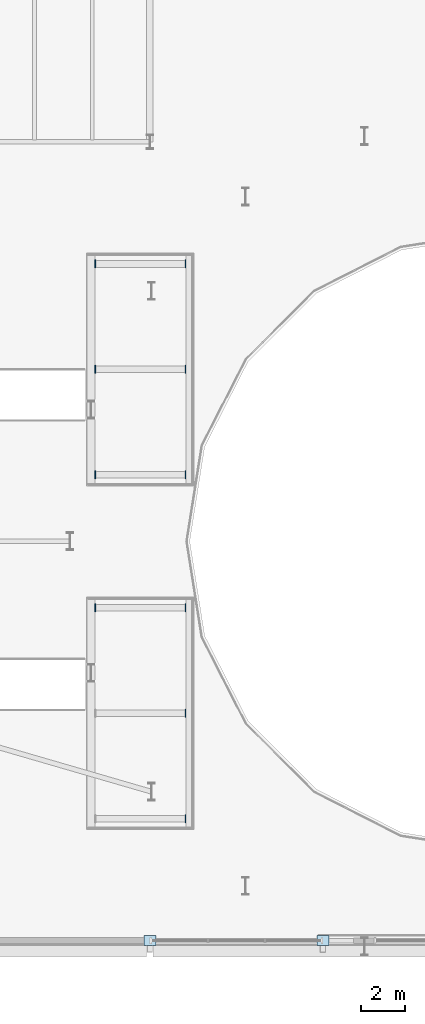
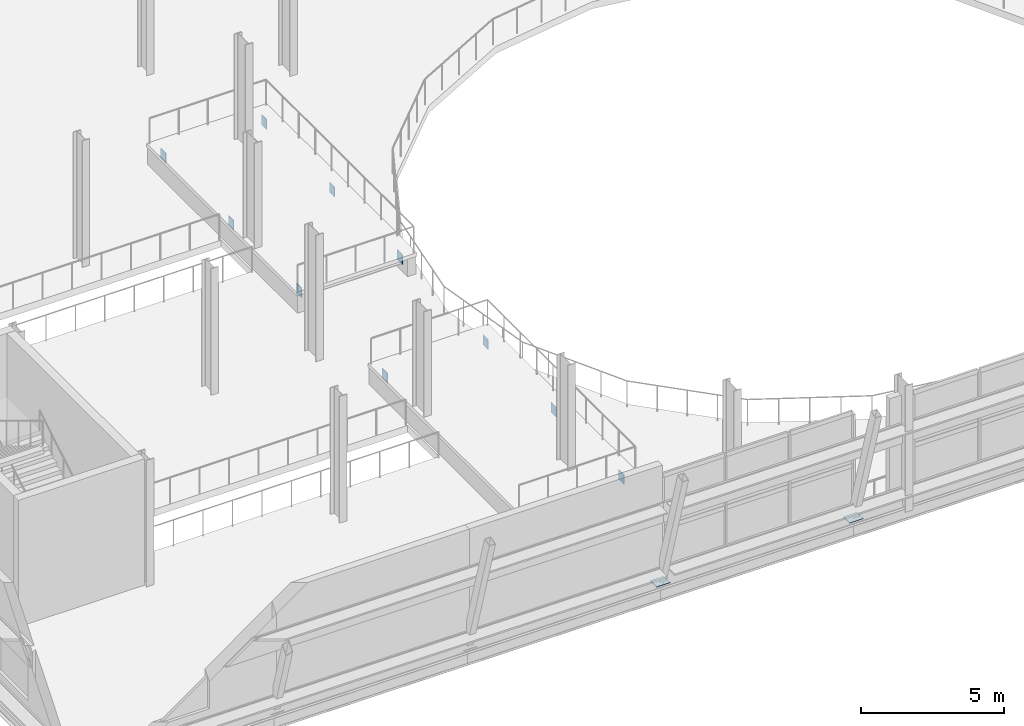
# One storey, part 45 of 78: 12 plates.
"""IFC4 building model written with IfcOpenShell, lengths in metres."""

import ifcopenshell
import ifcopenshell.guid

model = None  # the IFC model being written
_history = None  # IfcOwnerHistory: only IFC2X3 demands one
_inside = {}  # id of a spatial element -> (the spatial element, [elements in it])
_under = {}  # id of a project, library or spatial element -> (it, [spatial elements below it])
_declared = {}  # id of a project -> (the project, [libraries it declares])
_typed = {}  # id of a type object -> (the type object, [elements of that type])
_made_of = {}  # id of a material, layer set ... -> (it, [elements and type objects made of it])


def new_model(schema):
    """Start an empty IFC model of exactly this schema.

    Asked for "IFC4X3", IfcOpenShell would pick the latest addendum, in which some entities
    have other attributes; the version numbers below select the first issue.
    IFC2X3 requires an IfcOwnerHistory on every rooted entity: one is made here for all.
    """
    global model, _history
    if schema == "IFC4X3":
        model = ifcopenshell.file(schema_version=(4, 3, 0, 0))
    else:
        model = ifcopenshell.file(schema=schema)
    _inside.clear()
    _under.clear()
    _declared.clear()
    _typed.clear()
    _made_of.clear()
    _history = None
    if model.schema == "IFC2X3":
        org = make("IfcOrganization", Name="unknown")
        user = make(
            "IfcPersonAndOrganization",
            ThePerson=make("IfcPerson", FamilyName="unknown"),
            TheOrganization=org,
        )
        app = make(
            "IfcApplication",
            ApplicationDeveloper=org,
            Version="unknown",
            ApplicationFullName="unknown",
            ApplicationIdentifier="unknown",
        )
        _history = make(
            "IfcOwnerHistory",
            OwningUser=user,
            OwningApplication=app,
            ChangeAction="ADDED",
            CreationDate=0,
        )
    return model


def make(cls, **values):
    """One entity of the class cls with the attributes given. An attribute that is None is left unset."""
    return model.create_entity(
        cls, **{name: value for name, value in values.items() if value is not None}
    )


def rooted(cls, **values):
    """An entity with a GlobalId (a new one), such as an element, a storey or a relation."""
    return make(cls, GlobalId=ifcopenshell.guid.new(), OwnerHistory=_history, **values)


def si_unit(unit_type, name, prefix=None):
    """IfcSIUnit, for example si_unit("LENGTHUNIT", "METRE", prefix="MILLI")."""
    return make("IfcSIUnit", UnitType=unit_type, Prefix=prefix, Name=name)


def assignment(units):
    """IfcUnitAssignment: the units of a project."""
    return None if units is None else make("IfcUnitAssignment", Units=units)


def point(xyz):
    """IfcCartesianPoint."""
    return None if xyz is None else make("IfcCartesianPoint", Coordinates=xyz)


def direction(xyz):
    """IfcDirection."""
    return None if xyz is None else make("IfcDirection", DirectionRatios=xyz)


def frame(location, z_axis=None, x_axis=None):
    """IfcAxis2Placement3D, a coordinate frame: its origin and axes. An axis left out is left unset."""
    return make(
        "IfcAxis2Placement3D",
        Location=point(location),
        Axis=direction(z_axis),
        RefDirection=direction(x_axis),
    )


def frame_2d(location, x_axis=None):
    """IfcAxis2Placement2D, a coordinate frame in the plane: its origin and x axis."""
    return make(
        "IfcAxis2Placement2D", Location=point(location), RefDirection=direction(x_axis)
    )


def origin():
    """The frame at (0, 0, 0) with its axes left unset."""
    return frame((0.0, 0.0, 0.0))


def origin_2d():
    """The frame at (0, 0) in the plane with its x axis left unset."""
    return frame_2d((0.0, 0.0))


def place(relative_to, where):
    """IfcLocalPlacement: puts the frame where relative to a parent placement (None: the world)."""
    return make(
        "IfcLocalPlacement", PlacementRelTo=relative_to, RelativePlacement=where
    )


def context(
    kind, dimensions, precision=None, world=None, true_north=None, identifier=None
):
    """IfcGeometricRepresentationContext, for example the 3D "Model" context."""
    return make(
        "IfcGeometricRepresentationContext",
        ContextIdentifier=identifier,
        ContextType=kind,
        CoordinateSpaceDimension=dimensions,
        Precision=precision,
        WorldCoordinateSystem=world,
        TrueNorth=true_north,
    )


def subcontext(parent, identifier, kind, view, scale=None):
    """IfcGeometricRepresentationSubContext, for example "Body" below "Model"."""
    return make(
        "IfcGeometricRepresentationSubContext",
        ContextIdentifier=identifier,
        ContextType=kind,
        ParentContext=parent,
        TargetScale=scale,
        TargetView=view,
    )


def project(units=None, contexts=None):
    """IfcProject with its units and contexts."""
    return rooted(
        "IfcProject",
        Name="project",
        RepresentationContexts=contexts,
        UnitsInContext=assignment(units),
    )


def spatial(cls, under=None, at=None, **own):
    """A site, building, storey or space (cls), placed at a placement, below another one or the project."""
    s = rooted(cls, ObjectPlacement=at, **own)
    if under is not None:
        _under.setdefault(under.id(), (under, []))[1].append(s)
    return s


def profile(cls, at=None, kind="AREA", **sizes):
    """A parametric profile (cls). Its sizes go by their IFC names, for example OverallWidth=200.0."""
    return make(cls, ProfileType=kind, Position=at, **sizes)


def rectangle(**sizes):
    """IfcRectangleProfileDef."""
    return profile("IfcRectangleProfileDef", **sizes)


def extrude(swept, where, along, depth):
    """IfcExtrudedAreaSolid: the profile swept, set in the frame where, extruded along a direction by depth."""
    return make(
        "IfcExtrudedAreaSolid",
        SweptArea=swept,
        Position=where,
        ExtrudedDirection=direction(along),
        Depth=depth,
    )


def shape(context_of_items, identifier, shape_type, items):
    """IfcShapeRepresentation: the items that make up one representation, for example the "Body"."""
    return make(
        "IfcShapeRepresentation",
        ContextOfItems=context_of_items,
        RepresentationIdentifier=identifier,
        RepresentationType=shape_type,
        Items=items,
    )


def material(Name=None, Category=None):
    """IfcMaterial."""
    return make("IfcMaterial", Name=Name, Category=Category)


def layer(
    of_material, thickness, ventilated=None, Name=None, Category=None, Priority=None
):
    """IfcMaterialLayer: one layer of a wall or slab, of a material (None: an air gap)."""
    return make(
        "IfcMaterialLayer",
        Material=of_material,
        LayerThickness=thickness,
        IsVentilated=ventilated,
        Name=Name,
        Category=Category,
        Priority=Priority,
    )


def layer_set(layers, Name=None):
    """IfcMaterialLayerSet."""
    return make("IfcMaterialLayerSet", MaterialLayers=layers, LayerSetName=Name)


def made_of(thing, what):
    """Note that an element or type object is made of a material, layer set ...; save() writes the relation."""
    if what is not None:
        _made_of.setdefault(what.id(), (what, []))[1].append(thing)
    return thing


def type_object(cls, material=None, **own):
    """A type object (cls), such as IfcWallType, which elements share."""
    return made_of(rooted(cls, **own), material)


def element(
    cls,
    number,
    at=None,
    inside=None,
    cuts=None,
    type_object=None,
    material=None,
    context=None,
    identifier="Body",
    shape_type=None,
    held_by="IfcProductDefinitionShape",
    body=None,
    shapes=None,
    **own,
):
    """One element of the class cls, such as IfcWall. Its Tag is "e" and its number.

    at: its placement. inside: the storey or other place that contains it. cuts: it is an
    opening in that element (IfcRelVoidsElement). A single representation is given by context,
    identifier, shape_type and body (its items); several are given by shapes. held_by: the class
    of the entity that holds the representations. save() writes the other relations.
    """
    e = rooted(cls, Tag="e%d" % number, ObjectPlacement=at, **own)
    if body is not None:
        shapes = [shape(context, identifier, shape_type, body)]
    if shapes is not None:
        e.Representation = make(held_by, Representations=shapes)
    if inside is not None:
        _inside.setdefault(inside.id(), (inside, []))[1].append(e)
    if cuts is not None:
        rooted(
            "IfcRelVoidsElement", RelatingBuildingElement=cuts, RelatedOpeningElement=e
        )
    if type_object is not None:
        _typed.setdefault(type_object.id(), (type_object, []))[1].append(e)
    return made_of(e, material)


def aggregate(whole, parts):
    """IfcRelAggregates: a whole, such as a stair, and the parts it consists of."""
    return rooted("IfcRelAggregates", RelatingObject=whole, RelatedObjects=parts)


def save(model, path):
    """Write the relations noted so far, then the file.

    IfcRelAggregates (storeys below a building ...), IfcRelContainedInSpatialStructure (elements
    in a storey), IfcRelDefinesByType, IfcRelAssociatesMaterial and IfcRelDeclares: one each for
    every whole, place, type object, material and project.
    """
    for whole, parts in _under.values():
        aggregate(whole, parts)
    for where, things in _inside.values():
        rooted(
            "IfcRelContainedInSpatialStructure",
            RelatedElements=things,
            RelatingStructure=where,
        )
    for kind, things in _typed.values():
        rooted("IfcRelDefinesByType", RelatedObjects=things, RelatingType=kind)
    for what, things in _made_of.values():
        rooted("IfcRelAssociatesMaterial", RelatedObjects=things, RelatingMaterial=what)
    for by, libraries in _declared.values():
        rooted("IfcRelDeclares", RelatingContext=by, RelatedDefinitions=libraries)
    model.write(path)


model = new_model("IFC4")

# Units and contexts
model_context = context("Model", 3, precision=1e-05, world=origin(), true_north=direction((0.0, 1.0)))
body_context = subcontext(model_context, "Body", "Model", "MODEL_VIEW")
ifc_project = project(units=[si_unit("LENGTHUNIT", "METRE"), si_unit("AREAUNIT", "SQUARE_METRE"), si_unit("VOLUMEUNIT", "CUBIC_METRE"), si_unit("PLANEANGLEUNIT", "RADIAN"), si_unit("MASSUNIT", "GRAM", prefix="KILO")], contexts=[model_context])

# Site, building, storey
site_placement = place(None, origin())
site = spatial("IfcSite", under=ifc_project, at=site_placement, CompositionType="ELEMENT")
building_placement = place(site_placement, origin())
building = spatial("IfcBuilding", under=site, at=building_placement, Name="Sefraquen Railside Congress Hotel", CompositionType="ELEMENT")
storey_placement = place(building_placement, frame((0.0, 0.0, 6.0)))
storey = spatial("IfcBuildingStorey", under=building, at=storey_placement, Name="L01", CompositionType="ELEMENT", Elevation=6.0)

# Plates
ifc_material = material(Name="Steel S355J2", Category="steel")
ifc_layer_1 = layer(ifc_material, 0.050048828125)
ifc_layer_set_1 = layer_set([ifc_layer_1], Name="Steel S355J2")
plate_type_1 = type_object("IfcPlateType", Name="TP-BPL-01", PredefinedType="SHEET", material=ifc_layer_set_1)
for number, where, z_axis, x_axis, name in (
    (1, (48.60009765625, 9.0, -0.02783203125), (0.0, 0.0, 1.0), (1.0, 0.0, 0.0), "Inclined column base knuckle plate S-7"),
    (2, (56.39990234375, 9.0, -0.02783203125), (0.0, 0.0, 1.0), (1.0, 0.0, 0.0), "Inclined column base knuckle plate S-8"),
):
    element("IfcPlate", number, at=place(storey_placement, frame(where, z_axis=z_axis, x_axis=x_axis)), inside=storey, type_object=plate_type_1, Name=name, PredefinedType="SHEET", context=body_context, shape_type="SweptSolid", body=[
        extrude(rectangle(XDim=0.550048828125, YDim=0.449951171875, at=origin_2d()), origin(), (0.0, 0.0, 1.0), 0.011962890625),
    ])
ifc_layer_2 = layer(ifc_material, 0.0400390625)
ifc_layer_set_2 = layer_set([ifc_layer_2], Name="Steel S355J2")
plate_type_2 = type_object("IfcPlateType", Name="TP-GUS-02", PredefinedType="SHEET", material=ifc_layer_set_2)
for number, where, z_axis, x_axis, name in (
    (3, (50.2119140625, 14.5, 0.3349609375), (0.0, 0.0, 1.0), (1.0, 0.0, 0.0), "Cast-in core wall embed plate PL-L01-RKR-01A-E"),
    (4, (50.2119140625, 19.25, 0.3349609375), (0.0, 0.0, 1.0), (1.0, 0.0, 0.0), "Cast-in core wall embed plate PL-L01-RKR-01M-E"),
    (5, (46.137939453125, 24.0, 0.3349609375), (0.0, 0.0, 1.0), (1.0, 0.0, 0.0), "Cast-in core wall embed plate PL-L01-RKR-01B-W"),
    (6, (50.2119140625, 24.0, 0.3349609375), (0.0, 0.0, 1.0), (1.0, 0.0, 0.0), "Cast-in core wall embed plate PL-L01-RKR-01B-E"),
    (7, (46.137939453125, 30.0, 0.3349609375), (0.0, 0.0, 1.0), (1.0, 0.0, 0.0), "Cast-in core wall embed plate PL-L01-RKR-02A-W"),
    (8, (50.2119140625, 30.0, 0.3349609375), (0.0, 0.0, 1.0), (1.0, 0.0, 0.0), "Cast-in core wall embed plate PL-L01-RKR-02A-E"),
    (9, (46.137939453125, 34.75, 0.3349609375), (0.0, 0.0, 1.0), (1.0, 0.0, 0.0), "Cast-in core wall embed plate PL-L01-RKR-02M-W"),
    (10, (50.2119140625, 34.75, 0.3349609375), (0.0, 0.0, 1.0), (1.0, 0.0, 0.0), "Cast-in core wall embed plate PL-L01-RKR-02M-E"),
    (11, (46.137939453125, 39.5, 0.3349609375), (0.0, 0.0, 1.0), (1.0, 0.0, 0.0), "Cast-in core wall embed plate PL-L01-RKR-02B-W"),
    (12, (50.2119140625, 39.5, 0.3349609375), (0.0, 0.0, 1.0), (1.0, 0.0, 0.0), "Cast-in core wall embed plate PL-L01-RKR-02B-E"),
):
    element("IfcPlate", number, at=place(storey_placement, frame(where, z_axis=z_axis, x_axis=x_axis)), inside=storey, type_object=plate_type_2, Name=name, PredefinedType="SHEET", context=body_context, shape_type="SweptSolid", body=[
        extrude(rectangle(XDim=0.02490234375, YDim=0.360107421875, at=origin_2d()), origin(), (0.0, 0.0, 1.0), 0.419921875),
    ])

save(model, "model.ifc")
